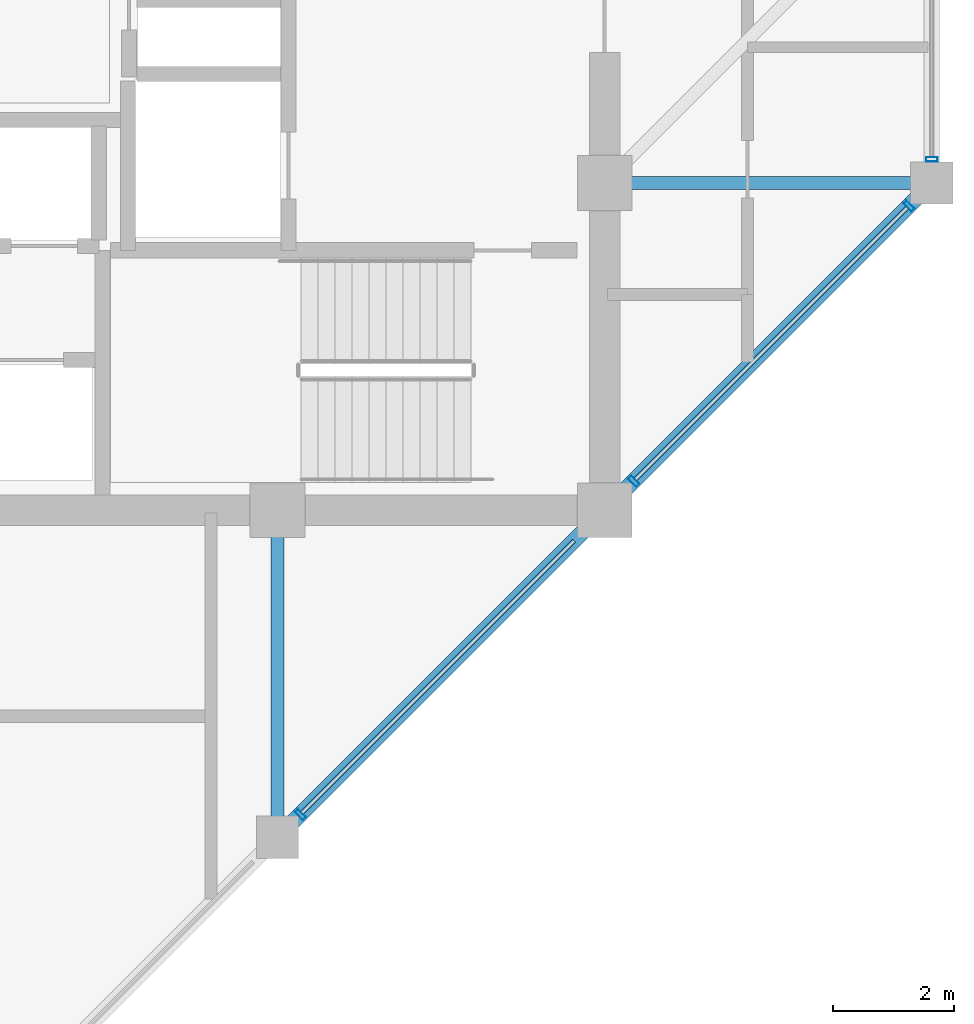
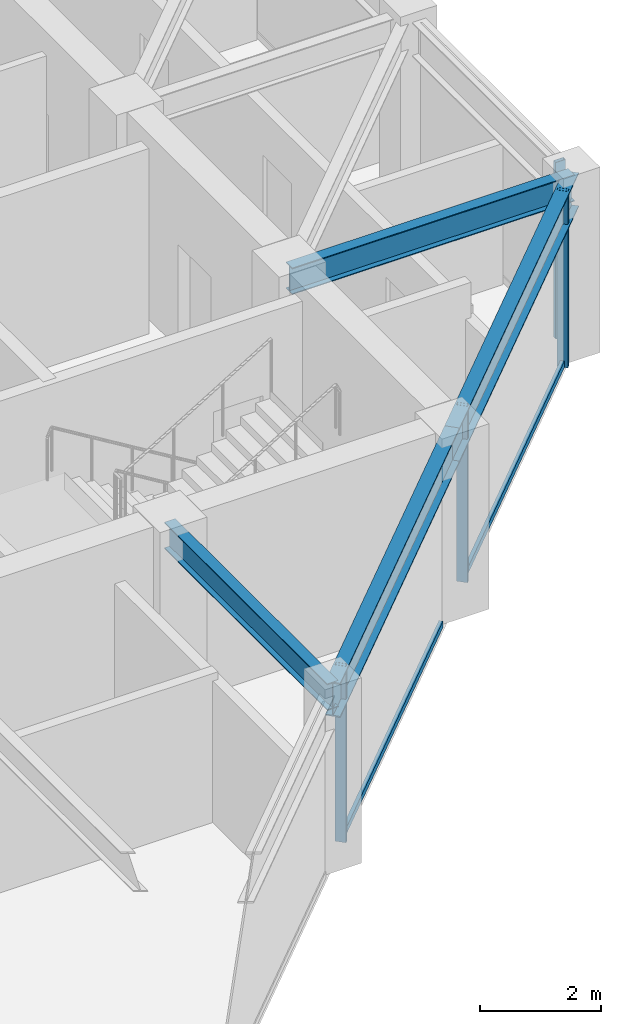
# One storey, part 12 of 31: 6 members, 4 beams, 2 elements without a shape of their own.
"""IFC4 building model written with IfcOpenShell, lengths in metres."""

from ifc_helpers import new_model, si_unit, direction, frame, origin, origin_2d, place, context, subcontext, project, spatial, hollow_rectangle, i_section, extrude, material, layer, layer_set, material_profile, profile_set, type_object, element, aggregate, save


model = new_model("IFC4")

# Units and contexts
model_context = context("Model", 3, precision=1e-05, world=origin(), true_north=direction((0.0, 1.0)))
body_context = subcontext(model_context, "Body", "Model", "MODEL_VIEW")
ifc_project = project(units=[si_unit("LENGTHUNIT", "METRE"), si_unit("AREAUNIT", "SQUARE_METRE"), si_unit("VOLUMEUNIT", "CUBIC_METRE"), si_unit("PLANEANGLEUNIT", "RADIAN"), si_unit("MASSUNIT", "GRAM", prefix="KILO")], contexts=[model_context])

# Site, building, storey
site_placement = place(None, origin())
site = spatial("IfcSite", under=ifc_project, at=site_placement, CompositionType="ELEMENT")
building_placement = place(site_placement, origin())
building = spatial("IfcBuilding", under=site, at=building_placement, Name="Surkhivell Harbour Commons", CompositionType="ELEMENT")
storey_placement = place(building_placement, frame((0.0, 0.0, 330.0)))
storey = spatial("IfcBuildingStorey", under=building, at=storey_placement, Name="L86", CompositionType="ELEMENT", Elevation=330.0)

# Beams
ifc_material_1 = material(Name="Steel S355", Category="steel")
ifc_material_profile_1 = material_profile(ifc_material_1, i_section(OverallWidth=0.2099609375, OverallDepth=0.537109375, WebThickness=0.0107421875, FlangeThickness=0.017333984375, at=origin_2d()), Name="UB533x210x101")
ifc_profile_set_1 = profile_set([ifc_material_profile_1], Name="Steel S355")
beam_type_1 = type_object("IfcBeamType", Name="BM-GRD-533B", PredefinedType="BEAM", material=ifc_profile_set_1)
for number, where, z_axis, x_axis, name in (
    (1, (5.39990234375, -16.199951171875, 3.301513671875), (0.0, 1.0, 0.0), (-1.0, 0.0, 0.0), "L86 Floor Girder (5.4,-16.2)"),
    (2, (10.800048828125, -5.39990234375, 3.301513671875), (1.0, 0.0, 0.0), (0.0, 1.0, 0.0), "L86 Floor Girder (10.8,-5.4)"),
):
    element("IfcBeam", number, at=place(storey_placement, frame(where, z_axis=z_axis, x_axis=x_axis)), inside=storey, type_object=beam_type_1, Name=name, PredefinedType="BEAM", context=body_context, shape_type="SweptSolid", body=[
        extrude(i_section(OverallWidth=0.2099609375, OverallDepth=0.537109375, WebThickness=0.0107421875, FlangeThickness=0.017333984375, at=origin_2d()), origin(), (0.0, 0.0, 1.0), 5.39990234375),
    ])
ifc_material_profile_2 = material_profile(ifc_material_1, i_section(OverallWidth=0.256103515625, OverallDepth=0.693115234375, WebThickness=0.014404296875, FlangeThickness=0.023681640625, at=origin_2d()), Name="UB686x254x170")
ifc_profile_set_2 = profile_set([ifc_material_profile_2], Name="Steel S355")
beam_type_2 = type_object("IfcBeamType", Name="BM-SPN-686", PredefinedType="SPANDREL", material=ifc_profile_set_2)
for number, where, z_axis, x_axis, name in (
    (3, (5.39990234375, -16.199951171875, 3.223388671875), (0.707122765516, 0.707090796496, 0.0), (-0.707090796496, 0.707122765516, 0.0), "L86 Tube Spandrel (5.4,-16.2)"),
    (4, (10.800048828125, -10.800048828125, 3.223388671875), (0.707090796496, 0.707122765516, 0.0), (-0.707122765516, 0.707090796496, 0.0), "L86 Tube Spandrel (10.8,-10.8)"),
):
    element("IfcBeam", number, at=place(storey_placement, frame(where, z_axis=z_axis, x_axis=x_axis)), inside=storey, type_object=beam_type_2, Name=name, PredefinedType="SPANDREL", context=body_context, shape_type="SweptSolid", body=[
        extrude(i_section(OverallWidth=0.256103515625, OverallDepth=0.693115234375, WebThickness=0.014404296875, FlangeThickness=0.023681640625, at=origin_2d()), origin(), (0.0, 0.0, 1.0), 7.63671875),
    ])

# Curtain wall, members
ifc_material_2 = material(Name="Anodised pale-metal aluminium and insulated glazing", Category="aluminium")
ifc_layer = layer(ifc_material_2, 0.175048828125)
ifc_layer_set = layer_set([ifc_layer], Name="Anodised pale-metal aluminium and insulated glazing")
curtain_wall_type = type_object("IfcCurtainWallType", Name="CW-SYS-Z4", PredefinedType="NOTDEFINED", material=ifc_layer_set)
curtain_wall_1_placement = place(storey_placement, origin())
curtain_wall_1 = element("IfcCurtainWall", 5, at=curtain_wall_1_placement, inside=storey, type_object=curtain_wall_type, Name="L86 Curtain Wall CW-L86-E01", PredefinedType="NOTDEFINED")
ifc_material_3 = material(Name="Anodised pale-metal aluminium alloy 6063-T6", Category="aluminium")
ifc_material_profile_3 = material_profile(ifc_material_3, hollow_rectangle(XDim=0.074951171875, YDim=0.18994140625, WallThickness=0.00390625, at=origin_2d()), Name="ALU-MULL-75x190")
ifc_profile_set_3 = profile_set([ifc_material_profile_3], Name="Anodised pale-metal aluminium alloy 6063-T6")
member_type_1 = type_object("IfcMemberType", Name="CWM-190", PredefinedType="MULLION", material=ifc_profile_set_3)
member_1_placement = place(storey_placement, frame((5.778076171875, -15.82177734375, 0.0), z_axis=(0.0, 0.0, 1.0), x_axis=(0.707106781187, 0.707106781187, 0.0)))
member_1 = element("IfcMember", 6, at=member_1_placement, type_object=member_type_1, Name="CW-Z4 mullion 2", PredefinedType="MULLION", context=body_context, shape_type="SweptSolid", body=[
    extrude(hollow_rectangle(XDim=0.074951171875, YDim=0.18994140625, WallThickness=0.00390625, at=origin_2d()), origin(), (0.0, 0.0, 1.0), 3.570068359375),
])
member_2_placement = place(storey_placement, frame((11.278076171875, -10.32177734375, 0.0), z_axis=(0.0, 0.0, 1.0), x_axis=(0.707106781187, 0.707106781187, 0.0)))
member_2 = element("IfcMember", 7, at=member_2_placement, type_object=member_type_1, Name="CW-Z4 mullion 3", PredefinedType="MULLION", context=body_context, shape_type="SweptSolid", body=[
    extrude(hollow_rectangle(XDim=0.074951171875, YDim=0.18994140625, WallThickness=0.00390625, at=origin_2d()), origin(), (0.0, 0.0, 1.0), 3.570068359375),
])
member_3_placement = place(storey_placement, frame((15.82177734375, -5.778076171875, 0.0), z_axis=(0.0, 0.0, 1.0), x_axis=(0.707106781187, 0.707106781187, 0.0)))
member_3 = element("IfcMember", 8, at=member_3_placement, type_object=member_type_1, Name="CW-Z4 mullion 4", PredefinedType="MULLION", context=body_context, shape_type="SweptSolid", body=[
    extrude(hollow_rectangle(XDim=0.074951171875, YDim=0.18994140625, WallThickness=0.00390625, at=origin_2d()), origin(), (0.0, 0.0, 1.0), 3.570068359375),
])

# Curtain wall, member
curtain_wall_2_placement = place(storey_placement, origin())
curtain_wall_2 = element("IfcCurtainWall", 9, at=curtain_wall_2_placement, inside=storey, type_object=curtain_wall_type, Name="L86 Curtain Wall CW-L86-E02", PredefinedType="NOTDEFINED")
member_4_placement = place(storey_placement, frame((16.199951171875, -5.010498046875, 0.0), z_axis=(0.0, 0.0, 1.0), x_axis=(0.0, 1.0, 0.0)))
member_4 = element("IfcMember", 10, at=member_4_placement, type_object=member_type_1, Name="CW-Z4 mullion 1", PredefinedType="MULLION", context=body_context, shape_type="SweptSolid", body=[
    extrude(hollow_rectangle(XDim=0.074951171875, YDim=0.18994140625, WallThickness=0.00390625, at=origin_2d()), origin(), (0.0, 0.0, 1.0), 3.570068359375),
])
aggregate(curtain_wall_2, [member_4])

# Member
ifc_material_4 = material(Name="Champagne anodised aluminium alloy 6063-T6", Category="aluminium")
ifc_material_profile_4 = material_profile(ifc_material_4, hollow_rectangle(XDim=0.070068359375, YDim=0.1298828125, WallThickness=0.00341796875, at=origin_2d()), Name="ALU-TRAN-70x130")
ifc_profile_set_4 = profile_set([ifc_material_profile_4], Name="Champagne anodised aluminium alloy 6063-T6")
member_type_2 = type_object("IfcMemberType", Name="CWT-130", PredefinedType="USERDEFINED", material=ifc_profile_set_4)
member_5_placement = place(storey_placement, frame((5.8046875, -15.79541015625, 0.06494140625), z_axis=(0.707106781187, 0.707106781187, 0.0), x_axis=(-0.707106781187, 0.707106781187, 0.0)))
member_5 = element("IfcMember", 11, at=member_5_placement, type_object=member_type_2, Name="CW-Z4 transom 2.1", ObjectType="TRANSOM", PredefinedType="USERDEFINED", context=body_context, shape_type="SweptSolid", body=[
    extrude(hollow_rectangle(XDim=0.070068359375, YDim=0.1298828125, WallThickness=0.00341796875, at=origin_2d()), origin(), (0.0, 0.0, 1.0), 6.350830078125),
])

member_6_placement = place(storey_placement, frame((11.3046875, -10.29541015625, 0.06494140625), z_axis=(0.707106781187, 0.707106781187, 0.0), x_axis=(-0.707106781187, 0.707106781187, 0.0)))
member_6 = element("IfcMember", 12, at=member_6_placement, type_object=member_type_2, Name="CW-Z4 transom 3.1", ObjectType="TRANSOM", PredefinedType="USERDEFINED", context=body_context, shape_type="SweptSolid", body=[
    extrude(hollow_rectangle(XDim=0.070068359375, YDim=0.1298828125, WallThickness=0.00341796875, at=origin_2d()), origin(), (0.0, 0.0, 1.0), 6.350830078125),
])

aggregate(curtain_wall_1, [member_1, member_5, member_2, member_3, member_6])

save(model, "model.ifc")
